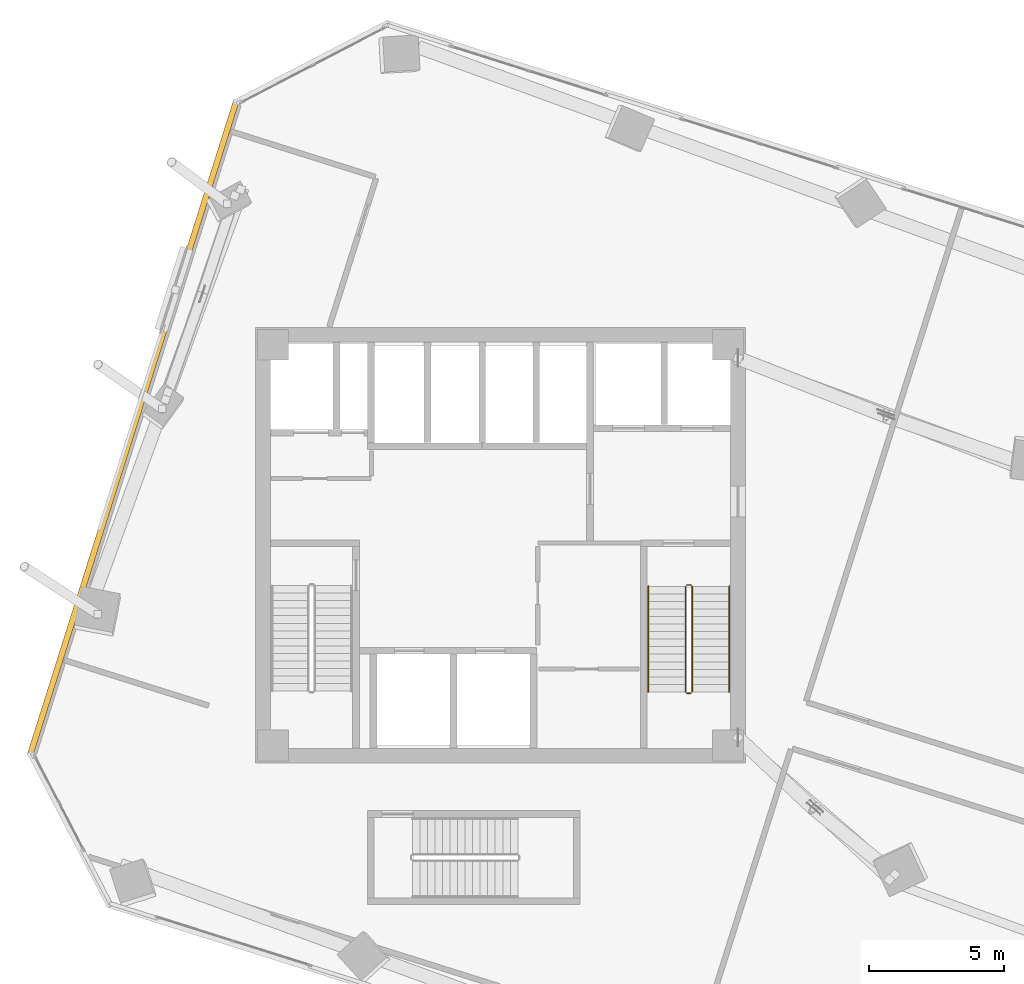
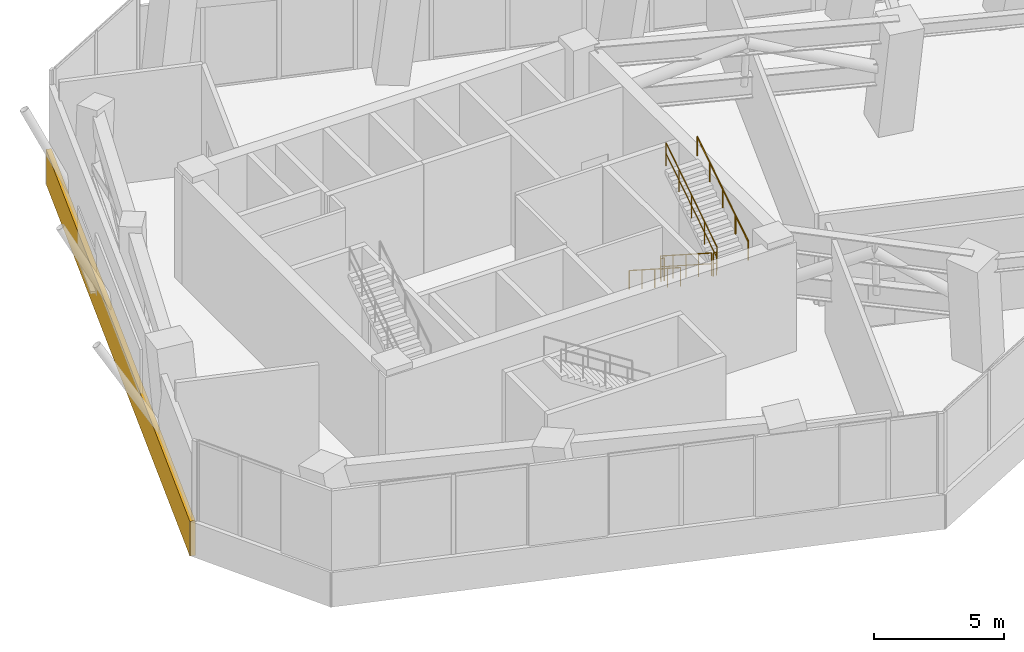
# One storey, part 26 of 29: 6 railings, 1 covering.
"""IFC4 building model written with IfcOpenShell, lengths in metres."""

from ifc_helpers import new_model, si_unit, direction, frame, origin, origin_2d, place, context, subcontext, project, spatial, rectangle, circle, extrude, source, transform, mapped, material, layer, layer_set, type_object, element, save


model = new_model("IFC4")

# Units and contexts
model_context = context("Model", 3, precision=1e-05, world=origin(), true_north=direction((0.0, 1.0)))
body_context = subcontext(model_context, "Body", "Model", "MODEL_VIEW")
ifc_project = project(units=[si_unit("LENGTHUNIT", "METRE"), si_unit("AREAUNIT", "SQUARE_METRE"), si_unit("VOLUMEUNIT", "CUBIC_METRE"), si_unit("PLANEANGLEUNIT", "RADIAN"), si_unit("MASSUNIT", "GRAM", prefix="KILO")], contexts=[model_context])

# Site, building, storey
site_placement = place(None, origin())
site = spatial("IfcSite", under=ifc_project, at=site_placement, CompositionType="ELEMENT")
building_placement = place(site_placement, origin())
building = spatial("IfcBuilding", under=site, at=building_placement, Name="Torre Montelarca", CompositionType="ELEMENT")
storey_placement = place(building_placement, frame((0.0, 0.0, 122.199951171875)))
storey = spatial("IfcBuildingStorey", under=building, at=storey_placement, Name="L27", CompositionType="ELEMENT", Elevation=122.199951171875)

# Railings
ifc_material_1 = material(Name="Powder-coated steel ASTM A500 Grade C", Category="steel")
railing_type_1 = type_object("IfcRailingType", Name="RL-GUARD-1100", PredefinedType="BALUSTRADE", material=ifc_material_1)
railing_1_placement = place(storey_placement, frame((24.8701171875, 30.469970703125, 0.179931640625)))
element("IfcRailing", 1, at=railing_1_placement, inside=storey, type_object=railing_type_1, Name="L27 ST2 stair guard 1", PredefinedType="BALUSTRADE", context=body_context, shape_type="SweptSolid", body=[
    extrude(circle(Radius=0.02392578125, at=origin_2d()), frame((0.0, 0.0, 1.076171875), z_axis=(0.0, -0.841171666519, 0.540768182723), x_axis=(1.0, 0.0, 0.0)), (0.0, 0.0, 1.0), 4.66015625),
    extrude(circle(Radius=0.02099609375, at=origin_2d()), frame((0.0, 0.0, 0.572021484375), z_axis=(0.0, -0.841171666519, 0.540768182723), x_axis=(1.0, 0.0, 0.0)), (0.0, 0.0, 1.0), 4.66015625),
    extrude(circle(Radius=0.02099609375, at=origin_2d()), origin(), (0.0, 0.0, 1.0), 1.052001953125),
    extrude(circle(Radius=0.02099609375, at=origin_2d()), frame((0.0, -0.97998046875, 0.6298828125)), (0.0, 0.0, 1.0), 1.052001953125),
    extrude(circle(Radius=0.02099609375, at=origin_2d()), frame((0.0, -1.9599609375, 1.260009765625)), (0.0, 0.0, 1.0), 1.052001953125),
    extrude(circle(Radius=0.02099609375, at=origin_2d()), frame((0.0, -2.93994140625, 1.89013671875)), (0.0, 0.0, 1.0), 1.052001953125),
    extrude(circle(Radius=0.02099609375, at=origin_2d()), frame((0.0, -3.919921875, 2.52001953125)), (0.0, 0.0, 1.0), 1.052001953125),
])
railing_2_placement = place(storey_placement, frame((24.919921875, 26.5, 2.699951171875)))
element("IfcRailing", 2, at=railing_2_placement, inside=storey, type_object=railing_type_1, Name="L27 ST2 stair guard 2", PredefinedType="BALUSTRADE", context=body_context, shape_type="SweptSolid", body=[
    extrude(circle(Radius=0.02392578125, at=origin_2d()), frame((0.0, 0.0, 1.076171875), z_axis=(1.0, 0.0, 0.0), x_axis=(0.0, 1.0, 0.0)), (0.0, 0.0, 1.0), 0.150146484375),
    extrude(circle(Radius=0.02099609375, at=origin_2d()), frame((0.0, 0.0, 0.572021484375), z_axis=(1.0, 0.0, 0.0), x_axis=(0.0, 1.0, 0.0)), (0.0, 0.0, 1.0), 0.150146484375),
    extrude(circle(Radius=0.02099609375, at=origin_2d()), origin(), (0.0, 0.0, 1.0), 1.052001953125),
    extrude(circle(Radius=0.02099609375, at=origin_2d()), frame((0.150146484375, 0.0, 0.0)), (0.0, 0.0, 1.0), 1.052001953125),
])
railing_3_placement = place(storey_placement, frame((25.1201171875, 26.550048828125, 2.880126953125)))
element("IfcRailing", 3, at=railing_3_placement, inside=storey, type_object=railing_type_1, Name="L27 ST2 stair guard 3", PredefinedType="BALUSTRADE", context=body_context, shape_type="SweptSolid", body=[
    extrude(circle(Radius=0.02392578125, at=origin_2d()), frame((0.0, 0.0, 1.076171875), z_axis=(0.0, 0.841171666519, 0.540768182723), x_axis=(-1.0, 0.0, 0.0)), (0.0, 0.0, 1.0), 4.66015625),
    extrude(circle(Radius=0.02099609375, at=origin_2d()), frame((0.0, 0.0, 0.572021484375), z_axis=(0.0, 0.841171666519, 0.540768182723), x_axis=(-1.0, 0.0, 0.0)), (0.0, 0.0, 1.0), 4.66015625),
    extrude(circle(Radius=0.02099609375, at=origin_2d()), origin(), (0.0, 0.0, 1.0), 1.052001953125),
    extrude(circle(Radius=0.02099609375, at=origin_2d()), frame((0.0, 0.97998046875, 0.6298828125)), (0.0, 0.0, 1.0), 1.052001953125),
    extrude(circle(Radius=0.02099609375, at=origin_2d()), frame((0.0, 1.9599609375, 1.260009765625)), (0.0, 0.0, 1.0), 1.052001953125),
    extrude(circle(Radius=0.02099609375, at=origin_2d()), frame((0.0, 2.93994140625, 1.89013671875)), (0.0, 0.0, 1.0), 1.052001953125),
    extrude(circle(Radius=0.02099609375, at=origin_2d()), frame((0.0, 3.919921875, 2.52001953125)), (0.0, 0.0, 1.0), 1.052001953125),
])
railing_4_placement = place(storey_placement, frame((24.919921875, 30.52001953125, 0.0)))
element("IfcRailing", 4, at=railing_4_placement, inside=storey, type_object=railing_type_1, Name="L27 ST2 stair guard 4", PredefinedType="BALUSTRADE", context=body_context, shape_type="SweptSolid", body=[
    extrude(circle(Radius=0.02392578125, at=origin_2d()), frame((0.0, 0.0, 1.076171875), z_axis=(1.0, 0.0, 0.0), x_axis=(0.0, 1.0, 0.0)), (0.0, 0.0, 1.0), 0.150146484375),
    extrude(circle(Radius=0.02099609375, at=origin_2d()), frame((0.0, 0.0, 0.572021484375), z_axis=(1.0, 0.0, 0.0), x_axis=(0.0, 1.0, 0.0)), (0.0, 0.0, 1.0), 0.150146484375),
    extrude(circle(Radius=0.02099609375, at=origin_2d()), origin(), (0.0, 0.0, 1.0), 1.052001953125),
    extrude(circle(Radius=0.02099609375, at=origin_2d()), frame((0.150146484375, 0.0, 0.0)), (0.0, 0.0, 1.0), 1.052001953125),
])
ifc_material_2 = material(Name="Brushed stainless steel AISI 316", Category="steel")
railing_type_2 = type_object("IfcRailingType", Name="RL-HANDRAIL-900", PredefinedType="HANDRAIL", material=ifc_material_2)
railing_5_placement = place(storey_placement, frame((23.489990234375, 30.469970703125, 0.179931640625)))
element("IfcRailing", 5, at=railing_5_placement, inside=storey, type_object=railing_type_2, Name="L27 ST2 stair handrail 1", PredefinedType="HANDRAIL", context=body_context, shape_type="SweptSolid", body=[
    extrude(circle(Radius=0.02392578125, at=origin_2d()), frame((0.0, 0.0, 0.8759765625), z_axis=(0.0, -0.841171666519, 0.540768182723), x_axis=(1.0, 0.0, 0.0)), (0.0, 0.0, 1.0), 4.66015625),
    extrude(circle(Radius=0.02099609375, at=origin_2d()), origin(), (0.0, 0.0, 1.0), 0.851806640625),
    extrude(circle(Radius=0.02099609375, at=origin_2d()), frame((0.0, -0.97998046875, 0.6298828125)), (0.0, 0.0, 1.0), 0.851806640625),
    extrude(circle(Radius=0.02099609375, at=origin_2d()), frame((0.0, -1.9599609375, 1.260009765625)), (0.0, 0.0, 1.0), 0.851806640625),
    extrude(circle(Radius=0.02099609375, at=origin_2d()), frame((0.0, -2.93994140625, 1.89013671875)), (0.0, 0.0, 1.0), 0.851806640625),
    extrude(circle(Radius=0.02099609375, at=origin_2d()), frame((0.0, -3.919921875, 2.52001953125)), (0.0, 0.0, 1.0), 0.851806640625),
])
railing_6_placement = place(storey_placement, frame((26.5, 26.550048828125, 2.880126953125)))
element("IfcRailing", 6, at=railing_6_placement, inside=storey, type_object=railing_type_2, Name="L27 ST2 stair handrail 2", PredefinedType="HANDRAIL", context=body_context, shape_type="SweptSolid", body=[
    extrude(circle(Radius=0.02392578125, at=origin_2d()), frame((0.0, 0.0, 0.8759765625), z_axis=(0.0, 0.841171666519, 0.540768182723), x_axis=(-1.0, 0.0, 0.0)), (0.0, 0.0, 1.0), 4.66015625),
    extrude(circle(Radius=0.02099609375, at=origin_2d()), origin(), (0.0, 0.0, 1.0), 0.851806640625),
    extrude(circle(Radius=0.02099609375, at=origin_2d()), frame((0.0, 0.97998046875, 0.6298828125)), (0.0, 0.0, 1.0), 0.851806640625),
    extrude(circle(Radius=0.02099609375, at=origin_2d()), frame((0.0, 1.9599609375, 1.260009765625)), (0.0, 0.0, 1.0), 0.851806640625),
    extrude(circle(Radius=0.02099609375, at=origin_2d()), frame((0.0, 2.93994140625, 1.89013671875)), (0.0, 0.0, 1.0), 0.851806640625),
    extrude(circle(Radius=0.02099609375, at=origin_2d()), frame((0.0, 3.919921875, 2.52001953125)), (0.0, 0.0, 1.0), 0.851806640625),
])

# Covering
ifc_material_3 = material(Name="Bush-hammered warm white precast concrete C45/55", Category="concrete")
ifc_layer = layer(ifc_material_3, 0.139892578125, Name="Bush-hammered warm white precast concrete C45/55", Category="concrete")
ifc_layer_set = layer_set([ifc_layer], Name="Bush-hammered warm white precast concrete C45/55")
covering_type = type_object("IfcCoveringType", Name="COV-TRAY-CLAD", PredefinedType="CLADDING", material=ifc_layer_set)
shared_shape = source(origin(), body_context, "Body", "SweptSolid", [
    extrude(rectangle(XDim=25.52001953125, YDim=0.219970703125, at=origin_2d()), origin(), (0.0, 0.0, 1.0), 1.6201171875),
])
covering_placement = place(storey_placement, frame((4.34716796875, 36.35986328125, -0.449951171875), z_axis=(0.0, 0.0, 1.0), x_axis=(-0.300709128603, -0.953715901081, 0.0)))
element("IfcCovering", 7, at=covering_placement, inside=storey, type_object=covering_type, Name="L27 Architectural White Spandrel Tray Band TRYBOT-10", PredefinedType="CLADDING", context=body_context, shape_type="MappedRepresentation", body=[
    mapped(shared_shape, transform((0.0, 0.0, 0.0), scale=1.0)),
])

save(model, "model.ifc")
